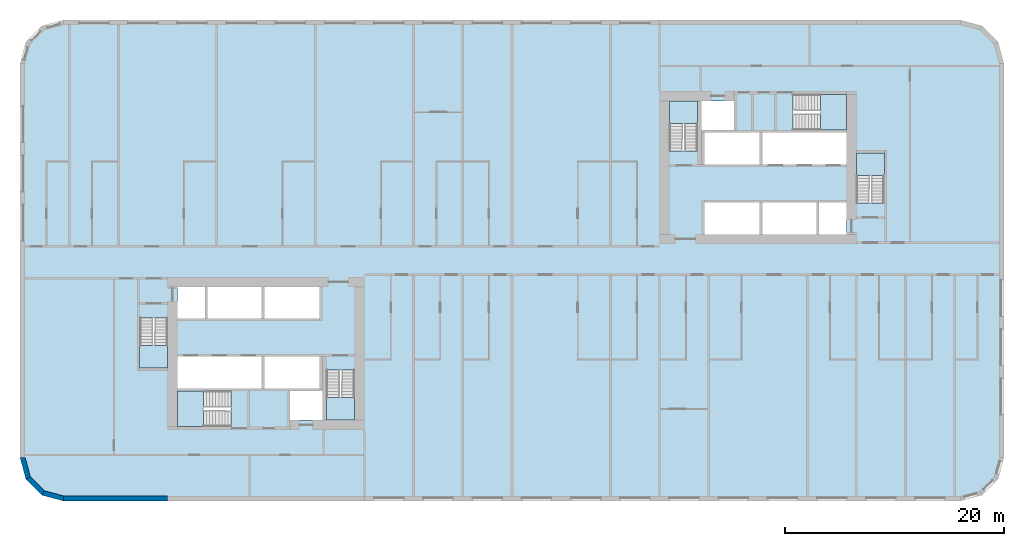
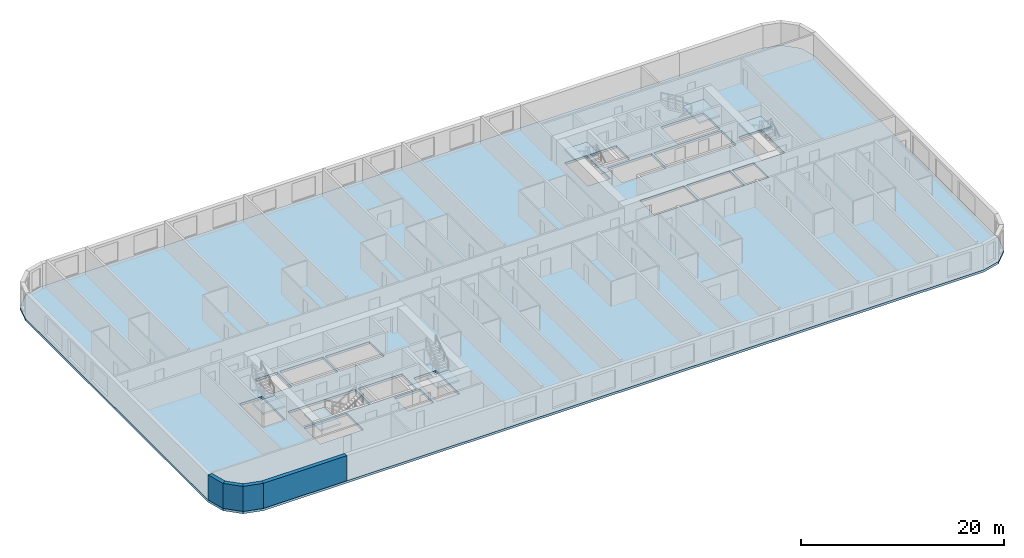
# One storey, part 1 of 12: 7 slabs, 4 walls, 6 elements without a shape of their own.
"""IFC4 building model written with IfcOpenShell, lengths in metres."""

from ifc_helpers import new_model, si_unit, direction, frame, frame_2d, origin, place, context, subcontext, project, spatial, polyline, rectangle, outline, extrude, material, layer, layer_set, type_object, element, aggregate, save


model = new_model("IFC4")

# Units and contexts
model_context = context("Model", 3, precision=1e-05, world=origin(), true_north=direction((0.0, 1.0)))
body_context = subcontext(model_context, "Body", "Model", "MODEL_VIEW")
ifc_project = project(units=[si_unit("LENGTHUNIT", "METRE"), si_unit("AREAUNIT", "SQUARE_METRE"), si_unit("VOLUMEUNIT", "CUBIC_METRE"), si_unit("PLANEANGLEUNIT", "RADIAN"), si_unit("MASSUNIT", "GRAM", prefix="KILO")], contexts=[model_context])

# Site, building, storey
site_placement = place(None, origin())
site = spatial("IfcSite", under=ifc_project, at=site_placement, CompositionType="ELEMENT")
building_placement = place(site_placement, origin())
building = spatial("IfcBuilding", under=site, at=building_placement, Name="Kajstack Hotel Tower", CompositionType="ELEMENT")
storey_placement = place(building_placement, frame((0.0, 0.0, 83.10009765625)))
storey = spatial("IfcBuildingStorey", under=building, at=storey_placement, Name="L16", CompositionType="ELEMENT", Elevation=83.10009765625)

# Slab
ifc_material_1 = material(Name="Concrete C40/50", Category="concrete")
ifc_layer_1 = layer(ifc_material_1, 0.280029296875)
ifc_layer_set_1 = layer_set([ifc_layer_1], Name="RC slab 280 C40/50 guest")
slab_type_1 = type_object("IfcSlabType", Name="RC slab 280 C40/50 guest", PredefinedType="FLOOR", material=ifc_layer_set_1)
slab_1_placement = place(storey_placement, frame((0.0, 0.0, -0.280029296875)))
element("IfcSlab", 1, at=slab_1_placement, inside=storey, type_object=slab_type_1, Name="S-slab-L16", PredefinedType="FLOOR", context=body_context, shape_type="SweptSolid", body=[
    extrude(outline(polyline([(-45.0, -18.0), (-44.464111328125, -20.0), (-43.0, -21.464111328125), (-41.0, -22.0), (41.0, -22.0), (43.0, -21.464111328125), (44.464111328125, -20.0), (45.0, -18.0), (45.0, 18.0), (44.464111328125, 20.0), (43.0, 21.464111328125), (41.0, 22.0), (-41.0, 22.0), (-43.0, 21.464111328125), (-44.464111328125, 20.0), (-45.0, 18.0), (-45.0, -18.0)]), holes=[polyline([(-30.60009765625, -11.699951171875), (-30.60009765625, -8.800048828125), (-22.89990234375, -8.800048828125), (-22.89990234375, -11.699951171875), (-30.60009765625, -11.699951171875)]), polyline([(-22.64990234375, -11.699951171875), (-22.64990234375, -8.800048828125), (-17.60009765625, -8.800048828125), (-17.60009765625, -11.699951171875), (-22.64990234375, -11.699951171875)]), polyline([(-27.85009765625, -5.300048828125), (-27.85009765625, -2.39990234375), (-22.89990234375, -2.39990234375), (-22.89990234375, -5.300048828125), (-27.85009765625, -5.300048828125)]), polyline([(-22.64990234375, -5.300048828125), (-22.64990234375, -2.39990234375), (-17.60009765625, -2.39990234375), (-17.60009765625, -5.300048828125), (-22.64990234375, -5.300048828125)]), polyline([(-20.300048828125, -14.60009765625), (-17.35009765625, -14.60009765625), (-17.35009765625, -11.949951171875), (-20.300048828125, -11.949951171875), (-20.300048828125, -14.60009765625)]), polyline([(-30.60009765625, -5.300048828125), (-28.10009765625, -5.300048828125), (-28.10009765625, -2.39990234375), (-30.60009765625, -2.39990234375), (-30.60009765625, -5.300048828125)]), polyline([(22.89990234375, 8.800048828125), (22.89990234375, 11.699951171875), (30.60009765625, 11.699951171875), (30.60009765625, 8.800048828125), (22.89990234375, 8.800048828125)]), polyline([(17.60009765625, 8.800048828125), (17.60009765625, 11.699951171875), (22.64990234375, 11.699951171875), (22.64990234375, 8.800048828125), (17.60009765625, 8.800048828125)]), polyline([(22.89990234375, 2.39990234375), (22.89990234375, 5.300048828125), (27.85009765625, 5.300048828125), (27.85009765625, 2.39990234375), (22.89990234375, 2.39990234375)]), polyline([(17.60009765625, 2.39990234375), (17.60009765625, 5.300048828125), (22.64990234375, 5.300048828125), (22.64990234375, 2.39990234375), (17.60009765625, 2.39990234375)]), polyline([(20.300048828125, 14.60009765625), (17.35009765625, 14.60009765625), (17.35009765625, 11.949951171875), (20.300048828125, 11.949951171875), (20.300048828125, 14.60009765625)]), polyline([(30.60009765625, 5.300048828125), (28.10009765625, 5.300048828125), (28.10009765625, 2.39990234375), (30.60009765625, 2.39990234375), (30.60009765625, 5.300048828125)]), polyline([(-34.050048828125, -9.85009765625), (-31.5, -9.85009765625), (-31.5, -5.25), (-34.050048828125, -5.25), (-34.050048828125, -9.85009765625)]), polyline([(-16.949951171875, -14.60009765625), (-14.39990234375, -14.60009765625), (-14.39990234375, -10.0), (-16.949951171875, -10.0), (-16.949951171875, -14.60009765625)]), polyline([(-30.60009765625, -15.199951171875), (-25.699951171875, -15.199951171875), (-25.699951171875, -11.949951171875), (-30.60009765625, -11.949951171875), (-30.60009765625, -15.199951171875)]), polyline([(34.050048828125, 9.85009765625), (31.5, 9.85009765625), (31.5, 5.25), (34.050048828125, 5.25), (34.050048828125, 9.85009765625)]), polyline([(16.949951171875, 14.60009765625), (14.39990234375, 14.60009765625), (14.39990234375, 10.0), (16.949951171875, 10.0), (16.949951171875, 14.60009765625)]), polyline([(30.60009765625, 15.199951171875), (25.699951171875, 15.199951171875), (25.699951171875, 11.949951171875), (30.60009765625, 11.949951171875), (30.60009765625, 15.199951171875)])]), origin(), (0.0, 0.0, 1.0), 0.280029296875),
])

# Stair, slab
stair_type_1 = type_object("IfcStairType", Name="Exit stair 1200", PredefinedType="HALF_TURN_STAIR", material=ifc_material_1)
stair_1_placement = place(storey_placement, origin())
stair_1 = element("IfcStair", 2, at=stair_1_placement, inside=storey, type_object=stair_type_1, Name="L16 stair W1", PredefinedType="HALF_TURN_STAIR")
ifc_layer_2 = layer(ifc_material_1, 0.199951171875)
ifc_layer_set_2 = layer_set([ifc_layer_2], Name="Stair landing 200")
slab_type_2 = type_object("IfcSlabType", Name="Stair landing 200", PredefinedType="LANDING", material=ifc_layer_set_2)
slab_2_placement = place(storey_placement, frame((0.0, 0.0, 1.449951171875)))
slab_2 = element("IfcSlab", 3, at=slab_2_placement, type_object=slab_type_2, Name="W1 landing 1", PredefinedType="LANDING", context=body_context, shape_type="SweptSolid", body=[
    extrude(outline(polyline([(-34.050048828125, -7.77001953125), (-34.050048828125, -9.85009765625), (-31.5, -9.85009765625), (-31.5, -7.77001953125), (-34.050048828125, -7.77001953125)])), origin(), (0.0, 0.0, 1.0), 0.199951171875),
])
aggregate(stair_1, [slab_2])

stair_2_placement = place(storey_placement, origin())
stair_2 = element("IfcStair", 4, at=stair_2_placement, inside=storey, type_object=stair_type_1, Name="L16 stair W2", PredefinedType="HALF_TURN_STAIR")
slab_3_placement = place(storey_placement, frame((0.0, 0.0, 1.449951171875)))
slab_3 = element("IfcSlab", 5, at=slab_3_placement, type_object=slab_type_2, Name="W2 landing 1", PredefinedType="LANDING", context=body_context, shape_type="SweptSolid", body=[
    extrude(outline(polyline([(-16.949951171875, -12.52001953125), (-16.949951171875, -14.60009765625), (-14.39990234375, -14.60009765625), (-14.39990234375, -12.52001953125), (-16.949951171875, -12.52001953125)])), origin(), (0.0, 0.0, 1.0), 0.199951171875),
])
aggregate(stair_2, [slab_3])

stair_type_2 = type_object("IfcStairType", Name="Exit stair 1500", PredefinedType="HALF_TURN_STAIR", material=ifc_material_1)
stair_3_placement = place(storey_placement, origin())
stair_3 = element("IfcStair", 6, at=stair_3_placement, inside=storey, type_object=stair_type_2, Name="L16 stair W3", PredefinedType="HALF_TURN_STAIR")
slab_4_placement = place(storey_placement, frame((0.0, 0.0, 1.449951171875)))
slab_4 = element("IfcSlab", 7, at=slab_4_placement, type_object=slab_type_2, Name="W3 landing 1", PredefinedType="LANDING", context=body_context, shape_type="SweptSolid", body=[
    extrude(outline(polyline([(-28.219970703125, -11.949951171875), (-30.60009765625, -11.949951171875), (-30.60009765625, -15.199951171875), (-28.219970703125, -15.199951171875), (-28.219970703125, -11.949951171875)])), origin(), (0.0, 0.0, 1.0), 0.199951171875),
])
aggregate(stair_3, [slab_4])

stair_4_placement = place(storey_placement, origin())
stair_4 = element("IfcStair", 8, at=stair_4_placement, inside=storey, type_object=stair_type_1, Name="L16 stair E1", PredefinedType="HALF_TURN_STAIR")
slab_5_placement = place(storey_placement, frame((0.0, 0.0, 1.449951171875)))
slab_5 = element("IfcSlab", 9, at=slab_5_placement, type_object=slab_type_2, Name="E1 landing 1", PredefinedType="LANDING", context=body_context, shape_type="SweptSolid", body=[
    extrude(outline(polyline([(34.050048828125, 7.77001953125), (34.050048828125, 9.85009765625), (31.5, 9.85009765625), (31.5, 7.77001953125), (34.050048828125, 7.77001953125)])), origin(), (0.0, 0.0, 1.0), 0.199951171875),
])
aggregate(stair_4, [slab_5])

stair_5_placement = place(storey_placement, origin())
stair_5 = element("IfcStair", 10, at=stair_5_placement, inside=storey, type_object=stair_type_1, Name="L16 stair E2", PredefinedType="HALF_TURN_STAIR")
slab_6_placement = place(storey_placement, frame((0.0, 0.0, 1.449951171875)))
slab_6 = element("IfcSlab", 11, at=slab_6_placement, type_object=slab_type_2, Name="E2 landing 1", PredefinedType="LANDING", context=body_context, shape_type="SweptSolid", body=[
    extrude(outline(polyline([(16.949951171875, 12.52001953125), (16.949951171875, 14.60009765625), (14.39990234375, 14.60009765625), (14.39990234375, 12.52001953125), (16.949951171875, 12.52001953125)])), origin(), (0.0, 0.0, 1.0), 0.199951171875),
])
aggregate(stair_5, [slab_6])

stair_6_placement = place(storey_placement, origin())
stair_6 = element("IfcStair", 12, at=stair_6_placement, inside=storey, type_object=stair_type_2, Name="L16 stair E3", PredefinedType="HALF_TURN_STAIR")
slab_7_placement = place(storey_placement, frame((0.0, 0.0, 1.449951171875)))
slab_7 = element("IfcSlab", 13, at=slab_7_placement, type_object=slab_type_2, Name="E3 landing 1", PredefinedType="LANDING", context=body_context, shape_type="SweptSolid", body=[
    extrude(outline(polyline([(28.219970703125, 11.949951171875), (30.60009765625, 11.949951171875), (30.60009765625, 15.199951171875), (28.219970703125, 15.199951171875), (28.219970703125, 11.949951171875)])), origin(), (0.0, 0.0, 1.0), 0.199951171875),
])
aggregate(stair_6, [slab_7])

# Walls
ifc_material_2 = material(Name="Terracotta-faced brick masonry", Category="masonry")
ifc_layer_3 = layer(ifc_material_2, 0.449951171875)
ifc_layer_set_3 = layer_set([ifc_layer_3], Name="EW-TERRA")
wall_type = type_object("IfcWallType", Name="EW-TERRA", PredefinedType="SOLIDWALL", material=ifc_layer_set_3)
wall_1_placement = place(storey_placement, frame((-44.78271484375, -17.941650390625, 0.0), z_axis=(0.0, 0.0, 1.0), x_axis=(0.25881466832, -0.965926999034, 0.0)))
element("IfcWall", 14, at=wall_1_placement, inside=storey, type_object=wall_type, Name="E-wall-L16-00-00", PredefinedType="SOLIDWALL", context=body_context, shape_type="SweptSolid", body=[
    extrude(outline(polyline([(0.000244140625, -0.22509765625), (2.070556640625, -0.224853515625), (1.9501953125, 0.22509765625), (0.12060546875, 0.22509765625), (0.000244140625, -0.22509765625)])), origin(), (0.0, 0.0, 1.0), 3.02001953125),
])
wall_2_placement = place(storey_placement, frame((-44.304931640625, -19.8408203125, 0.0), z_axis=(0.0, 0.0, 1.0), x_axis=(0.707106781187, -0.707106781187, 0.0)))
element("IfcWall", 15, at=wall_2_placement, inside=storey, type_object=wall_type, Name="E-wall-L16-01-00", PredefinedType="SOLIDWALL", context=body_context, shape_type="SweptSolid", body=[
    extrude(outline(polyline([(0.0, -0.22509765625), (2.070556640625, -0.22509765625), (1.949951171875, 0.224853515625), (0.12060546875, 0.224853515625), (0.0, -0.22509765625)])), origin(), (0.0, 0.0, 1.0), 3.02001953125),
])
wall_3_placement = place(storey_placement, frame((-42.941650390625, -21.246826171875, 0.0), z_axis=(0.0, 0.0, 1.0), x_axis=(0.965926999034, -0.25881466832, 0.0)))
element("IfcWall", 16, at=wall_3_placement, inside=storey, type_object=wall_type, Name="E-wall-L16-02-00", PredefinedType="SOLIDWALL", context=body_context, shape_type="SweptSolid", body=[
    extrude(outline(polyline([(-0.000244140625, -0.224853515625), (2.0703125, -0.22509765625), (1.949951171875, 0.22509765625), (0.120361328125, 0.22509765625), (-0.000244140625, -0.224853515625)])), origin(), (0.0, 0.0, 1.0), 3.02001953125),
])
wall_4_placement = place(storey_placement, frame((-41.0, -21.77490234375, 0.0), z_axis=(0.0, 0.0, 1.0), x_axis=(1.0, 0.0, 0.0)))
element("IfcWall", 17, at=wall_4_placement, inside=storey, type_object=wall_type, Name="E-wall-L16-03-00", PredefinedType="SOLIDWALL", context=body_context, shape_type="SweptSolid", body=[
    extrude(rectangle(XDim=9.5, YDim=0.449951171875, at=frame_2d((4.75, 0.0))), origin(), (0.0, 0.0, 1.0), 3.02001953125),
])

save(model, "model.ifc")
